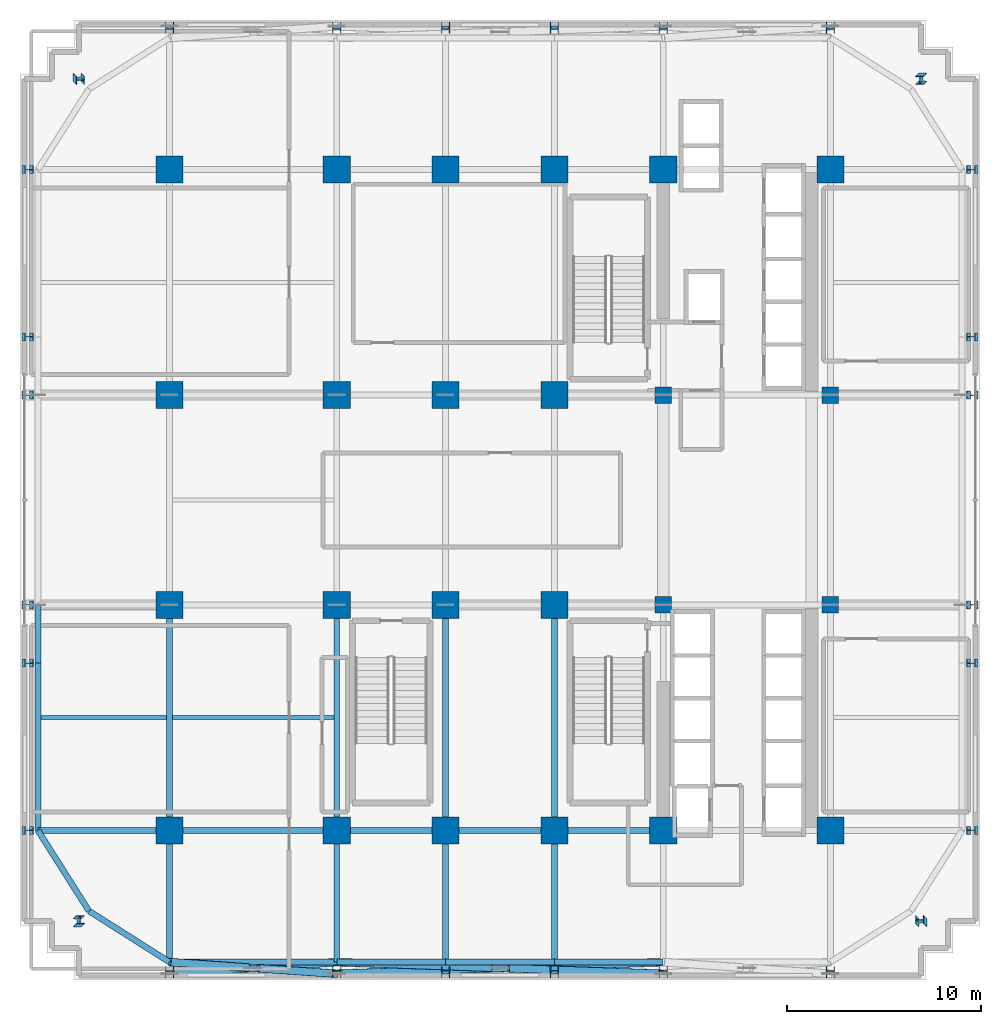
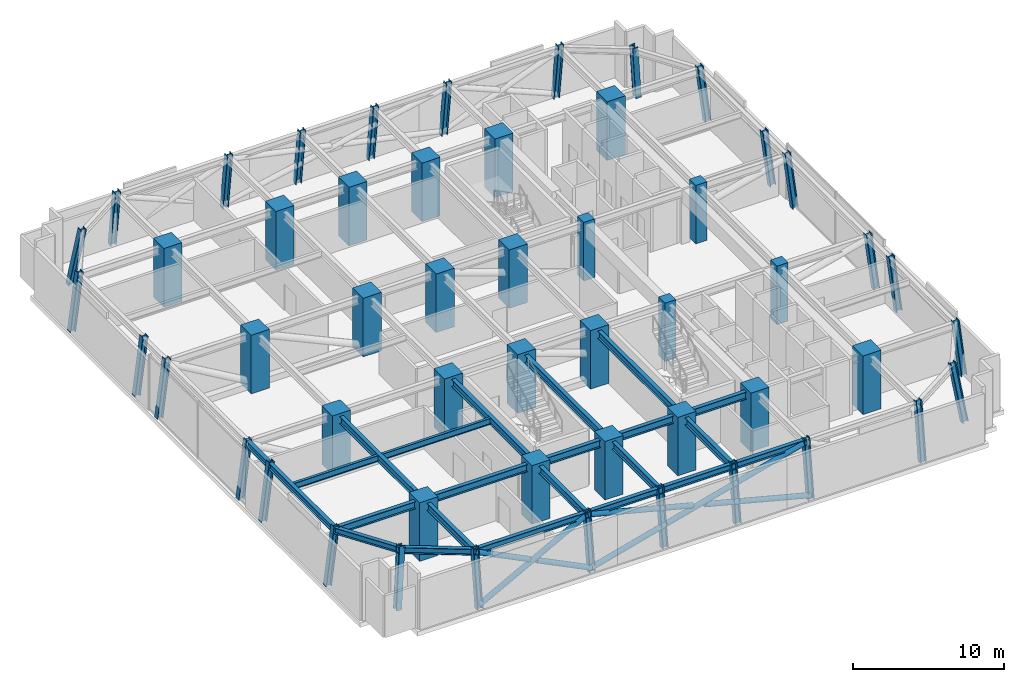
# One storey, part 1 of 17: 52 columns, 23 beams, 6 members.
"""IFC4 building model written with IfcOpenShell, lengths in metres."""

from ifc_helpers import new_model, si_unit, direction, frame, origin, origin_2d, place, context, subcontext, project, spatial, rectangle, hollow_circle, i_section, extrude, source, transform, mapped, material, material_profile, profile_set, type_object, element, save


model = new_model("IFC4")

# Units and contexts
model_context = context("Model", 3, precision=1e-05, world=origin(), true_north=direction((0.0, 1.0)))
body_context = subcontext(model_context, "Body", "Model", "MODEL_VIEW")
ifc_project = project(units=[si_unit("LENGTHUNIT", "METRE"), si_unit("AREAUNIT", "SQUARE_METRE"), si_unit("VOLUMEUNIT", "CUBIC_METRE"), si_unit("PLANEANGLEUNIT", "RADIAN"), si_unit("MASSUNIT", "GRAM", prefix="KILO")], contexts=[model_context])

# Site, building, storey
site_placement = place(None, origin())
site = spatial("IfcSite", under=ifc_project, at=site_placement, CompositionType="ELEMENT")
building_placement = place(site_placement, origin())
building = spatial("IfcBuilding", under=site, at=building_placement, Name="Nahalor Promenade Grand Hotel", CompositionType="ELEMENT")
storey_placement = place(building_placement, frame((0.0, 0.0, 83.5)))
storey = spatial("IfcBuildingStorey", under=building, at=storey_placement, Name="L20", CompositionType="ELEMENT", Elevation=83.5)

# Columns
ifc_material_1 = material(Name="Concrete B-70 (C60/75)", Category="concrete")
ifc_material_profile_1 = material_profile(ifc_material_1, rectangle(XDim=1.4, YDim=1.4, at=origin_2d()), Name="RC 1400x1400")
ifc_profile_set_1 = profile_set([ifc_material_profile_1], Name="Concrete B-70 (C60/75)")
column_type_1 = type_object("IfcColumnType", Name="Col-RC-1400", PredefinedType="COLUMN", material=ifc_profile_set_1)
shared_shape_1 = source(origin(), body_context, "Body", "SweptSolid", [
    extrude(rectangle(XDim=1.4, YDim=1.4, at=origin_2d()), origin(), (0.0, 0.0, 1.0), 4.7548828125),
])
for number, where, z_axis, x_axis, name in (
    (1, (-17.0, -17.0, 0.0), (0.0, 0.0, 1.0), (1.0, 0.0, 0.0), "COL-L20-I00"),
    (2, (-17.0, -5.39990234375, 0.0), (0.0, 0.0, 1.0), (1.0, 0.0, 0.0), "COL-L20-I01"),
    (3, (-17.0, 5.39990234375, 0.0), (0.0, 0.0, 1.0), (1.0, 0.0, 0.0), "COL-L20-I02"),
    (4, (-17.0, 17.0, 0.0), (0.0, 0.0, 1.0), (1.0, 0.0, 0.0), "COL-L20-I03"),
    (5, (-8.39990234375, -17.0, 0.0), (0.0, 0.0, 1.0), (1.0, 0.0, 0.0), "COL-L20-I10"),
    (6, (-8.39990234375, -5.39990234375, 0.0), (0.0, 0.0, 1.0), (1.0, 0.0, 0.0), "COL-L20-I11"),
    (7, (-8.39990234375, 5.39990234375, 0.0), (0.0, 0.0, 1.0), (1.0, 0.0, 0.0), "COL-L20-I12"),
    (8, (-8.39990234375, 17.0, 0.0), (0.0, 0.0, 1.0), (1.0, 0.0, 0.0), "COL-L20-I13"),
    (9, (-2.800048828125, -17.0, 0.0), (0.0, 0.0, 1.0), (1.0, 0.0, 0.0), "COL-L20-I20"),
    (10, (-2.800048828125, -5.39990234375, 0.0), (0.0, 0.0, 1.0), (1.0, 0.0, 0.0), "COL-L20-I21"),
    (11, (-2.800048828125, 5.39990234375, 0.0), (0.0, 0.0, 1.0), (1.0, 0.0, 0.0), "COL-L20-I22"),
    (12, (-2.800048828125, 17.0, 0.0), (0.0, 0.0, 1.0), (1.0, 0.0, 0.0), "COL-L20-I23"),
    (13, (2.800048828125, -17.0, 0.0), (0.0, 0.0, 1.0), (1.0, 0.0, 0.0), "COL-L20-I30"),
    (14, (2.800048828125, -5.39990234375, 0.0), (0.0, 0.0, 1.0), (1.0, 0.0, 0.0), "COL-L20-I31"),
    (15, (2.800048828125, 5.39990234375, 0.0), (0.0, 0.0, 1.0), (1.0, 0.0, 0.0), "COL-L20-I32"),
    (16, (2.800048828125, 17.0, 0.0), (0.0, 0.0, 1.0), (1.0, 0.0, 0.0), "COL-L20-I33"),
    (17, (8.39990234375, -17.0, 0.0), (0.0, 0.0, 1.0), (1.0, 0.0, 0.0), "COL-L20-I40"),
    (18, (8.39990234375, 17.0, 0.0), (0.0, 0.0, 1.0), (1.0, 0.0, 0.0), "COL-L20-I43"),
    (19, (17.0, -17.0, 0.0), (0.0, 0.0, 1.0), (1.0, 0.0, 0.0), "COL-L20-I50"),
    (20, (17.0, 17.0, 0.0), (0.0, 0.0, 1.0), (1.0, 0.0, 0.0), "COL-L20-I53"),
):
    element("IfcColumn", number, at=place(storey_placement, frame(where, z_axis=z_axis, x_axis=x_axis)), inside=storey, type_object=column_type_1, Name=name, PredefinedType="COLUMN", context=body_context, shape_type="MappedRepresentation", body=[
        mapped(shared_shape_1, transform((0.0, 0.0, 0.0), scale=1.0)),
    ])
ifc_material_profile_2 = material_profile(ifc_material_1, rectangle(XDim=0.85, YDim=0.85, at=origin_2d()), Name="RC 850x850")
ifc_profile_set_2 = profile_set([ifc_material_profile_2], Name="Concrete B-70 (C60/75)")
column_type_2 = type_object("IfcColumnType", Name="Col-Pilaster-850", PredefinedType="PILASTER", material=ifc_profile_set_2)
shared_shape_2 = source(origin(), body_context, "Body", "SweptSolid", [
    extrude(rectangle(XDim=0.85, YDim=0.85, at=origin_2d()), origin(), (0.0, 0.0, 1.0), 4.7548828125),
])
for number, where, z_axis, x_axis, name in (
    (21, (8.39990234375, -5.39990234375, 0.0), (0.0, 0.0, 1.0), (1.0, 0.0, 0.0), "COL-L20-I41"),
    (22, (8.39990234375, 5.39990234375, 0.0), (0.0, 0.0, 1.0), (1.0, 0.0, 0.0), "COL-L20-I42"),
    (23, (17.0, -5.39990234375, 0.0), (0.0, 0.0, 1.0), (1.0, 0.0, 0.0), "COL-L20-I51"),
    (24, (17.0, 5.39990234375, 0.0), (0.0, 0.0, 1.0), (1.0, 0.0, 0.0), "COL-L20-I52"),
):
    element("IfcColumn", number, at=place(storey_placement, frame(where, z_axis=z_axis, x_axis=x_axis)), inside=storey, type_object=column_type_2, Name=name, PredefinedType="PILASTER", context=body_context, shape_type="MappedRepresentation", body=[
        mapped(shared_shape_2, transform((0.0, 0.0, 0.0), scale=1.0)),
    ])
ifc_material_2 = material(Name="Steel S355J2", Category="steel")
ifc_material_profile_3 = material_profile(ifc_material_2, i_section(OverallWidth=0.412, OverallDepth=0.438, WebThickness=0.0226, FlangeThickness=0.0365, at=origin_2d()), Name="HD 400x463")
ifc_profile_set_3 = profile_set([ifc_material_profile_3], Name="Steel S355J2")
column_type_3 = type_object("IfcColumnType", Name="Col-Steel-HD463", PredefinedType="COLUMN", material=ifc_profile_set_3)
shared_shape_3 = source(origin(), body_context, "Body", "SweptSolid", [
    extrude(i_section(OverallWidth=0.412, OverallDepth=0.438, WebThickness=0.0226, FlangeThickness=0.0365, at=origin_2d()), origin(), (0.0, 0.0, 1.0), 4.693603515625),
])
for number, where, z_axis, x_axis, name in (
    (25, (-24.3798828125, -17.0, 0.0), (0.127804637987, 0.0, 0.991799362023), (0.0, 1.0, 0.0), "COL-L20-PW-W0"),
    (26, (24.3798828125, -17.0, 0.0), (-0.127804637987, 0.0, 0.991799362023), (0.0, -1.0, 0.0), "COL-L20-PW-E0"),
    (27, (-24.3798828125, -8.39990234375, 0.0), (0.127804637987, 0.0, 0.991799362023), (0.0, 1.0, 0.0), "COL-L20-PW-W1"),
    (28, (24.3798828125, -8.39990234375, 0.0), (-0.127804637987, 0.0, 0.991799362023), (0.0, -1.0, 0.0), "COL-L20-PW-E1"),
    (29, (-24.3798828125, -5.39990234375, 0.0), (0.127804637987, 0.0, 0.991799362023), (0.0, 1.0, 0.0), "COL-L20-PW-W2"),
    (30, (24.3798828125, -5.39990234375, 0.0), (-0.127804637987, 0.0, 0.991799362023), (0.0, -1.0, 0.0), "COL-L20-PW-E2"),
    (31, (-24.3798828125, 5.39990234375, 0.0), (0.127804637987, 0.0, 0.991799362023), (0.0, 1.0, 0.0), "COL-L20-PW-W3"),
    (32, (24.3798828125, 5.39990234375, 0.0), (-0.127804637987, 0.0, 0.991799362023), (0.0, -1.0, 0.0), "COL-L20-PW-E3"),
    (33, (-24.3798828125, 8.39990234375, 0.0), (0.127804637987, 0.0, 0.991799362023), (0.0, 1.0, 0.0), "COL-L20-PW-W4"),
    (34, (24.3798828125, 8.39990234375, 0.0), (-0.127804637987, 0.0, 0.991799362023), (0.0, -1.0, 0.0), "COL-L20-PW-E4"),
    (35, (-24.3798828125, 17.0, 0.0), (0.127804637987, 0.0, 0.991799362023), (0.0, 1.0, 0.0), "COL-L20-PW-W5"),
    (36, (24.3798828125, 17.0, 0.0), (-0.127804637987, 0.0, 0.991799362023), (0.0, -1.0, 0.0), "COL-L20-PW-E5"),
    (37, (-17.0, -24.3798828125, 0.0), (0.0, 0.127804637987, 0.991799362023), (0.0, -0.991799362023, 0.127804637987), "COL-L20-PN-S0"),
    (38, (-17.0, 24.3798828125, 0.0), (0.0, -0.127804637987, 0.991799362023), (0.0, 0.991799362023, 0.127804637987), "COL-L20-PN-N0"),
    (39, (-8.39990234375, -24.3798828125, 0.0), (0.0, 0.127804637987, 0.991799362023), (0.0, -0.991799362023, 0.127804637987), "COL-L20-PN-S1"),
    (40, (-8.39990234375, 24.3798828125, 0.0), (0.0, -0.127804637987, 0.991799362023), (0.0, 0.991799362023, 0.127804637987), "COL-L20-PN-N1"),
    (41, (-2.800048828125, -24.3798828125, 0.0), (0.0, 0.127804637987, 0.991799362023), (0.0, -0.991799362023, 0.127804637987), "COL-L20-PN-S2"),
    (42, (-2.800048828125, 24.3798828125, 0.0), (0.0, -0.127804637987, 0.991799362023), (0.0, 0.991799362023, 0.127804637987), "COL-L20-PN-N2"),
    (43, (2.800048828125, -24.3798828125, 0.0), (0.0, 0.127804637987, 0.991799362023), (0.0, -0.991799362023, 0.127804637987), "COL-L20-PN-S3"),
    (44, (2.800048828125, 24.3798828125, 0.0), (0.0, -0.127804637987, 0.991799362023), (0.0, 0.991799362023, 0.127804637987), "COL-L20-PN-N3"),
    (45, (8.39990234375, -24.3798828125, 0.0), (0.0, 0.127804637987, 0.991799362023), (0.0, -0.991799362023, 0.127804637987), "COL-L20-PN-S4"),
    (46, (8.39990234375, 24.3798828125, 0.0), (0.0, -0.127804637987, 0.991799362023), (0.0, 0.991799362023, 0.127804637987), "COL-L20-PN-N4"),
    (47, (17.0, -24.3798828125, 0.0), (0.0, 0.127804637987, 0.991799362023), (0.0, -0.991799362023, 0.127804637987), "COL-L20-PN-S5"),
    (48, (17.0, 24.3798828125, 0.0), (0.0, -0.127804637987, 0.991799362023), (0.0, 0.991799362023, 0.127804637987), "COL-L20-PN-N5"),
):
    element("IfcColumn", number, at=place(storey_placement, frame(where, z_axis=z_axis, x_axis=x_axis)), inside=storey, type_object=column_type_3, Name=name, PredefinedType="COLUMN", context=body_context, shape_type="MappedRepresentation", body=[
        mapped(shared_shape_3, transform((0.0, 0.0, 0.0), scale=1.0)),
    ])
shared_shape_4 = source(origin(), body_context, "Body", "SweptSolid", [
    extrude(i_section(OverallWidth=0.412, OverallDepth=0.438, WebThickness=0.0226, FlangeThickness=0.0365, at=origin_2d()), origin(), (0.0, 0.0, 1.0), 4.731689453125),
])
for number, where, z_axis, x_axis, name in (
    (49, (-21.75, -21.75, 0.0), (0.126823408548, 0.126823408548, 0.983784349382), (-0.991892174691, 0.008107825309, 0.126823408548), "COL-L20-CRN-SW"),
    (50, (-21.75, 21.75, 0.0), (0.126823408548, -0.126823408548, 0.983784349382), (0.008107825309, 0.991892174691, 0.126823408548), "COL-L20-CRN-NW"),
    (51, (21.75, -21.75, 0.0), (-0.126823408548, 0.126823408548, 0.983784349382), (-0.008107825309, -0.991892174691, 0.126823408548), "COL-L20-CRN-SE"),
    (52, (21.75, 21.75, 0.0), (-0.126823408548, -0.126823408548, 0.983784349382), (0.991892174691, -0.008107825309, 0.126823408548), "COL-L20-CRN-NE"),
):
    element("IfcColumn", number, at=place(storey_placement, frame(where, z_axis=z_axis, x_axis=x_axis)), inside=storey, type_object=column_type_3, Name=name, PredefinedType="COLUMN", context=body_context, shape_type="MappedRepresentation", body=[
        mapped(shared_shape_4, transform((0.0, 0.0, 0.0), scale=1.0)),
    ])

# Beams
ifc_material_3 = material(Name="Steel S355JR", Category="steel")
ifc_material_profile_4 = material_profile(ifc_material_3, i_section(OverallWidth=0.3, OverallDepth=0.6, WebThickness=0.0155, FlangeThickness=0.03, at=origin_2d()), Name="HEB 600")
ifc_profile_set_4 = profile_set([ifc_material_profile_4], Name="Steel S355JR")
beam_type_1 = type_object("IfcBeamType", Name="Beam-Girder-HEB600", PredefinedType="BEAM", material=ifc_profile_set_4)
shared_shape_5 = source(origin(), body_context, "Body", "SweptSolid", [
    extrude(i_section(OverallWidth=0.3, OverallDepth=0.6, WebThickness=0.0155, FlangeThickness=0.03, at=origin_2d()), origin(), (0.0, 0.0, 1.0), 8.60009765625),
])
beam_1_placement = place(storey_placement, frame((-17.0, -17.0, 4.22998046875), z_axis=(1.0, 0.0, 0.0), x_axis=(0.0, 1.0, 0.0)))
element("IfcBeam", 53, at=beam_1_placement, inside=storey, type_object=beam_type_1, Name="BM-L20-GX-0-1", PredefinedType="BEAM", context=body_context, shape_type="MappedRepresentation", body=[
    mapped(shared_shape_5, transform((0.0, 0.0, 0.0), scale=1.0)),
])
shared_shape_6 = source(origin(), body_context, "Body", "SweptSolid", [
    extrude(i_section(OverallWidth=0.3, OverallDepth=0.6, WebThickness=0.0155, FlangeThickness=0.03, at=origin_2d()), origin(), (0.0, 0.0, 1.0), 5.599853515625),
])
for number, where, z_axis, x_axis, name in (
    (54, (-8.39990234375, -17.0, 4.22998046875), (1.0, 0.0, 0.0), (0.0, 1.0, 0.0), "BM-L20-GX-0-2"),
    (55, (2.800048828125, -17.0, 4.22998046875), (1.0, 0.0, 0.0), (0.0, 1.0, 0.0), "BM-L20-GX-0-4"),
):
    element("IfcBeam", number, at=place(storey_placement, frame(where, z_axis=z_axis, x_axis=x_axis)), inside=storey, type_object=beam_type_1, Name=name, PredefinedType="BEAM", context=body_context, shape_type="MappedRepresentation", body=[
        mapped(shared_shape_6, transform((0.0, 0.0, 0.0), scale=1.0)),
    ])
shared_shape_7 = source(origin(), body_context, "Body", "SweptSolid", [
    extrude(i_section(OverallWidth=0.3, OverallDepth=0.6, WebThickness=0.0155, FlangeThickness=0.03, at=origin_2d()), origin(), (0.0, 0.0, 1.0), 5.60009765625),
])
beam_2_placement = place(storey_placement, frame((-2.800048828125, -17.0, 4.22998046875), z_axis=(1.0, 0.0, 0.0), x_axis=(0.0, 1.0, 0.0)))
element("IfcBeam", 56, at=beam_2_placement, inside=storey, type_object=beam_type_1, Name="BM-L20-GX-0-3", PredefinedType="BEAM", context=body_context, shape_type="MappedRepresentation", body=[
    mapped(shared_shape_7, transform((0.0, 0.0, 0.0), scale=1.0)),
])
shared_shape_8 = source(origin(), body_context, "Body", "SweptSolid", [
    extrude(i_section(OverallWidth=0.3, OverallDepth=0.6, WebThickness=0.0155, FlangeThickness=0.03, at=origin_2d()), origin(), (0.0, 0.0, 1.0), 11.60009765625),
])
for number, where, z_axis, x_axis, name in (
    (57, (-17.0, -17.0, 4.22998046875), (0.0, 1.0, 0.0), (-1.0, 0.0, 0.0), "BM-L20-GY-0-1"),
    (58, (-8.39990234375, -17.0, 4.22998046875), (0.0, 1.0, 0.0), (-1.0, 0.0, 0.0), "BM-L20-GY-1-1"),
    (59, (-2.800048828125, -17.0, 4.22998046875), (0.0, 1.0, 0.0), (-1.0, 0.0, 0.0), "BM-L20-GY-2-1"),
    (60, (2.800048828125, -17.0, 4.22998046875), (0.0, 1.0, 0.0), (-1.0, 0.0, 0.0), "BM-L20-GY-3-1"),
):
    element("IfcBeam", number, at=place(storey_placement, frame(where, z_axis=z_axis, x_axis=x_axis)), inside=storey, type_object=beam_type_1, Name=name, PredefinedType="BEAM", context=body_context, shape_type="MappedRepresentation", body=[
        mapped(shared_shape_8, transform((0.0, 0.0, 0.0), scale=1.0)),
    ])
ifc_material_profile_5 = material_profile(ifc_material_3, i_section(OverallWidth=0.3, OverallDepth=0.5, WebThickness=0.0145, FlangeThickness=0.028, at=origin_2d()), Name="HEB 500")
ifc_profile_set_5 = profile_set([ifc_material_profile_5], Name="Steel S355JR")
beam_type_2 = type_object("IfcBeamType", Name="Beam-Spandrel-HEB500", PredefinedType="SPANDREL", material=ifc_profile_set_5)
shared_shape_9 = source(origin(), body_context, "Body", "SweptSolid", [
    extrude(i_section(OverallWidth=0.3, OverallDepth=0.5, WebThickness=0.0145, FlangeThickness=0.028, at=origin_2d()), origin(), (0.0, 0.0, 1.0), 8.60009765625),
])
for number, where, z_axis, x_axis, name in (
    (61, (-17.0, -23.780029296875, 4.280029296875), (1.0, 0.0, 0.0), (0.0, 1.0, 0.0), "BM-L20-SP-S-0"),
    (62, (-23.780029296875, -17.0, 4.280029296875), (0.0, 1.0, 0.0), (-1.0, 0.0, 0.0), "BM-L20-SP-W-0"),
):
    element("IfcBeam", number, at=place(storey_placement, frame(where, z_axis=z_axis, x_axis=x_axis)), inside=storey, type_object=beam_type_2, Name=name, PredefinedType="SPANDREL", context=body_context, shape_type="MappedRepresentation", body=[
        mapped(shared_shape_9, transform((0.0, 0.0, 0.0), scale=1.0)),
    ])
shared_shape_10 = source(origin(), body_context, "Body", "SweptSolid", [
    extrude(i_section(OverallWidth=0.3, OverallDepth=0.5, WebThickness=0.0145, FlangeThickness=0.028, at=origin_2d()), origin(), (0.0, 0.0, 1.0), 5.599853515625),
])
for number, where, z_axis, x_axis, name in (
    (63, (-8.39990234375, -23.780029296875, 4.280029296875), (1.0, 0.0, 0.0), (0.0, 1.0, 0.0), "BM-L20-SP-S-1"),
    (64, (2.800048828125, -23.780029296875, 4.280029296875), (1.0, 0.0, 0.0), (0.0, 1.0, 0.0), "BM-L20-SP-S-3"),
):
    element("IfcBeam", number, at=place(storey_placement, frame(where, z_axis=z_axis, x_axis=x_axis)), inside=storey, type_object=beam_type_2, Name=name, PredefinedType="SPANDREL", context=body_context, shape_type="MappedRepresentation", body=[
        mapped(shared_shape_10, transform((0.0, 0.0, 0.0), scale=1.0)),
    ])
shared_shape_11 = source(origin(), body_context, "Body", "SweptSolid", [
    extrude(i_section(OverallWidth=0.3, OverallDepth=0.5, WebThickness=0.0145, FlangeThickness=0.028, at=origin_2d()), origin(), (0.0, 0.0, 1.0), 5.60009765625),
])
beam_3_placement = place(storey_placement, frame((-2.800048828125, -23.780029296875, 4.280029296875), z_axis=(1.0, 0.0, 0.0), x_axis=(0.0, 1.0, 0.0)))
element("IfcBeam", 65, at=beam_3_placement, inside=storey, type_object=beam_type_2, Name="BM-L20-SP-S-2", PredefinedType="SPANDREL", context=body_context, shape_type="MappedRepresentation", body=[
    mapped(shared_shape_11, transform((0.0, 0.0, 0.0), scale=1.0)),
])
shared_shape_12 = source(origin(), body_context, "Body", "SweptSolid", [
    extrude(i_section(OverallWidth=0.3, OverallDepth=0.5, WebThickness=0.0145, FlangeThickness=0.028, at=origin_2d()), origin(), (0.0, 0.0, 1.0), 3.0),
])
beam_4_placement = place(storey_placement, frame((-23.780029296875, -8.39990234375, 4.280029296875), z_axis=(0.0, 1.0, 0.0), x_axis=(-1.0, 0.0, 0.0)))
element("IfcBeam", 66, at=beam_4_placement, inside=storey, type_object=beam_type_2, Name="BM-L20-SP-W-1", PredefinedType="SPANDREL", context=body_context, shape_type="MappedRepresentation", body=[
    mapped(shared_shape_12, transform((0.0, 0.0, 0.0), scale=1.0)),
])
ifc_material_profile_6 = material_profile(ifc_material_3, i_section(OverallWidth=0.2, OverallDepth=0.5, WebThickness=0.0102, FlangeThickness=0.016, at=origin_2d()), Name="IPE 500")
ifc_profile_set_6 = profile_set([ifc_material_profile_6], Name="Steel S355JR")
beam_type_3 = type_object("IfcBeamType", Name="Beam-Joist-IPE500", PredefinedType="JOIST", material=ifc_profile_set_6)
shared_shape_13 = source(origin(), body_context, "Body", "SweptSolid", [
    extrude(i_section(OverallWidth=0.2, OverallDepth=0.5, WebThickness=0.0102, FlangeThickness=0.016, at=origin_2d()), origin(), (0.0, 0.0, 1.0), 8.300048828125),
])
beam_5_placement = place(storey_placement, frame((-16.85009765625, -11.199951171875, 4.280029296875), z_axis=(1.0, 0.0, 0.0), x_axis=(0.0, 1.0, 0.0)))
element("IfcBeam", 67, at=beam_5_placement, inside=storey, type_object=beam_type_3, Name="BM-L20-JSW-0-1", PredefinedType="JOIST", context=body_context, shape_type="MappedRepresentation", body=[
    mapped(shared_shape_13, transform((0.0, 0.0, 0.0), scale=1.0)),
])
shared_shape_14 = source(origin(), body_context, "Body", "SweptSolid", [
    extrude(i_section(OverallWidth=0.3, OverallDepth=0.6, WebThickness=0.0155, FlangeThickness=0.03, at=origin_2d()), origin(), (0.0, 0.0, 1.0), 6.780029296875),
])
for number, where, z_axis, x_axis, name in (
    (68, (-23.780029296875, -17.0, 4.22998046875), (1.0, 0.0, 0.0), (0.0, 1.0, 0.0), "BM-L20-GX-0-0"),
    (69, (-17.0, -23.780029296875, 4.22998046875), (0.0, 1.0, 0.0), (-1.0, 0.0, 0.0), "BM-L20-GY-0-0"),
    (70, (-8.39990234375, -23.780029296875, 4.22998046875), (0.0, 1.0, 0.0), (-1.0, 0.0, 0.0), "BM-L20-GY-1-0"),
    (71, (-2.800048828125, -23.780029296875, 4.22998046875), (0.0, 1.0, 0.0), (-1.0, 0.0, 0.0), "BM-L20-GY-2-0"),
    (72, (2.800048828125, -23.780029296875, 4.22998046875), (0.0, 1.0, 0.0), (-1.0, 0.0, 0.0), "BM-L20-GY-3-0"),
):
    element("IfcBeam", number, at=place(storey_placement, frame(where, z_axis=z_axis, x_axis=x_axis)), inside=storey, type_object=beam_type_1, Name=name, PredefinedType="BEAM", context=body_context, shape_type="MappedRepresentation", body=[
        mapped(shared_shape_14, transform((0.0, 0.0, 0.0), scale=1.0)),
    ])
shared_shape_15 = source(origin(), body_context, "Body", "SweptSolid", [
    extrude(i_section(OverallWidth=0.3, OverallDepth=0.5, WebThickness=0.0145, FlangeThickness=0.028, at=origin_2d()), origin(), (0.0, 0.0, 1.0), 4.9130859375),
])
for number, where, z_axis, x_axis, name in (
    (73, (-17.0, -23.780029296875, 4.280029296875), (-0.844648325505, 0.535321591403, 0.0), (-0.535321591403, -0.844648325505, 0.0), "BM-L20-SPC-SW-1"),
    (74, (-21.14990234375, -21.14990234375, 4.280029296875), (-0.535321591403, 0.844648325505, 0.0), (-0.844648325505, -0.535321591403, 0.0), "BM-L20-SPC-SW-2"),
):
    element("IfcBeam", number, at=place(storey_placement, frame(where, z_axis=z_axis, x_axis=x_axis)), inside=storey, type_object=beam_type_2, Name=name, PredefinedType="SPANDREL", context=body_context, shape_type="MappedRepresentation", body=[
        mapped(shared_shape_15, transform((0.0, 0.0, 0.0), scale=1.0)),
    ])
shared_shape_16 = source(origin(), body_context, "Body", "SweptSolid", [
    extrude(i_section(OverallWidth=0.2, OverallDepth=0.5, WebThickness=0.0102, FlangeThickness=0.016, at=origin_2d()), origin(), (0.0, 0.0, 1.0), 6.47998046875),
])
beam_6_placement = place(storey_placement, frame((-23.6298828125, -11.199951171875, 4.280029296875), z_axis=(1.0, 0.0, 0.0), x_axis=(0.0, 1.0, 0.0)))
element("IfcBeam", 75, at=beam_6_placement, inside=storey, type_object=beam_type_3, Name="BM-L20-JSW-0-0", PredefinedType="JOIST", context=body_context, shape_type="MappedRepresentation", body=[
    mapped(shared_shape_16, transform((0.0, 0.0, 0.0), scale=1.0)),
])

# Members
ifc_material_profile_7 = material_profile(ifc_material_2, hollow_circle(Radius=0.2032, WallThickness=0.02, at=origin_2d()), Name="CHS 406.4x20")
ifc_profile_set_7 = profile_set([ifc_material_profile_7], Name="Steel S355J2")
member_type = type_object("IfcMemberType", Name="Mem-BeltDiag-CHS406", PredefinedType="BRACE", material=ifc_profile_set_7)
shared_shape_17 = source(origin(), body_context, "Body", "SweptSolid", [
    extrude(hollow_circle(Radius=0.2032, WallThickness=0.02, at=origin_2d()), origin(), (0.0, 0.0, 1.0), 9.48291015625),
])
member_1_placement = place(storey_placement, frame((-17.0, -24.3798828125, 0.300048828125), z_axis=(0.906914814743, 0.063256960763, 0.416538204387), x_axis=(-0.069580567074, 0.997576335267, 0.0)))
element("IfcMember", 76, at=member_1_placement, inside=storey, type_object=member_type, Name="BT-L20-S-D1-0", PredefinedType="BRACE", context=body_context, shape_type="MappedRepresentation", body=[
    mapped(shared_shape_17, transform((0.0, 0.0, 0.0), scale=1.0)),
])
shared_shape_18 = source(origin(), body_context, "Body", "SweptSolid", [
    extrude(hollow_circle(Radius=0.2032, WallThickness=0.02, at=origin_2d()), origin(), (0.0, 0.0, 1.0), 4.46240234375),
])
member_2_placement = place(storey_placement, frame((-8.39990234375, -24.3798828125, 0.300048828125), z_axis=(-0.906929497047, 0.063244887409, 0.416508069073), x_axis=(-0.069566230285, -0.997577335149, 0.0)))
element("IfcMember", 77, at=member_2_placement, inside=storey, type_object=member_type, Name="BT-L20-S-D2-0A", PredefinedType="BRACE", context=body_context, shape_type="MappedRepresentation", body=[
    mapped(shared_shape_18, transform((0.0, 0.0, 0.0), scale=1.0)),
])
shared_shape_19 = source(origin(), body_context, "Body", "SweptSolid", [
    extrude(hollow_circle(Radius=0.2032, WallThickness=0.02, at=origin_2d()), origin(), (0.0, 0.0, 1.0), 4.462646484375),
])
member_3_placement = place(storey_placement, frame((-12.952880859375, -24.0625, 2.39111328125), z_axis=(-0.906905690785, 0.06329793595, 0.416551844703), x_axis=(-0.069626117078, -0.997573157127, 0.0)))
element("IfcMember", 78, at=member_3_placement, inside=storey, type_object=member_type, Name="BT-L20-S-D2-0B", PredefinedType="BRACE", context=body_context, shape_type="MappedRepresentation", body=[
    mapped(shared_shape_19, transform((0.0, 0.0, 0.0), scale=1.0)),
])
shared_shape_20 = source(origin(), body_context, "Body", "SweptSolid", [
    extrude(hollow_circle(Radius=0.2032, WallThickness=0.02, at=origin_2d()), origin(), (0.0, 0.0, 1.0), 17.268310546875),
])
member_4_placement = place(storey_placement, frame((-8.39990234375, -24.3798828125, 0.300048828125), z_axis=(0.972867690152, 0.034737195761, 0.228739556458), x_axis=(-0.035683242172, 0.999363150325, 0.0)))
element("IfcMember", 79, at=member_4_placement, inside=storey, type_object=member_type, Name="BT-L20-S-D1-1", PredefinedType="BRACE", context=body_context, shape_type="MappedRepresentation", body=[
    mapped(shared_shape_20, transform((0.0, 0.0, 0.0), scale=1.0)),
])
shared_shape_21 = source(origin(), body_context, "Body", "SweptSolid", [
    extrude(hollow_circle(Radius=0.2032, WallThickness=0.02, at=origin_2d()), origin(), (0.0, 0.0, 1.0), 8.169189453125),
])
for number, where, z_axis, x_axis, name in (
    (80, (8.39990234375, -24.3798828125, 0.300048828125), (-0.972866864594, 0.034727100318, 0.228744600547), (-0.035672915218, -0.999363519006, 0.0), "BT-L20-S-D2-1A"),
    (81, (-0.452392578125, -24.063720703125, 2.38134765625), (-0.972866864594, 0.034727100318, 0.228744600547), (-0.035672915218, -0.999363519006, 0.0), "BT-L20-S-D2-1B"),
):
    element("IfcMember", number, at=place(storey_placement, frame(where, z_axis=z_axis, x_axis=x_axis)), inside=storey, type_object=member_type, Name=name, PredefinedType="BRACE", context=body_context, shape_type="MappedRepresentation", body=[
        mapped(shared_shape_21, transform((0.0, 0.0, 0.0), scale=1.0)),
    ])

save(model, "model.ifc")
